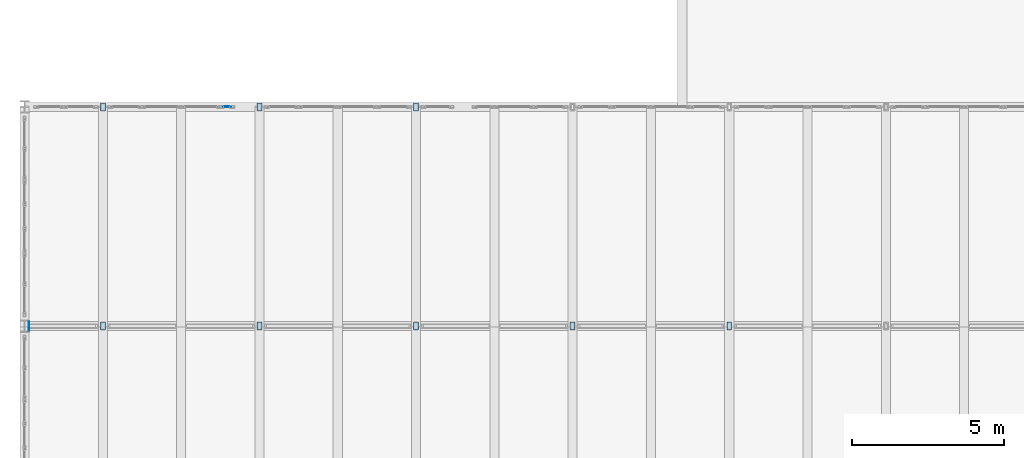
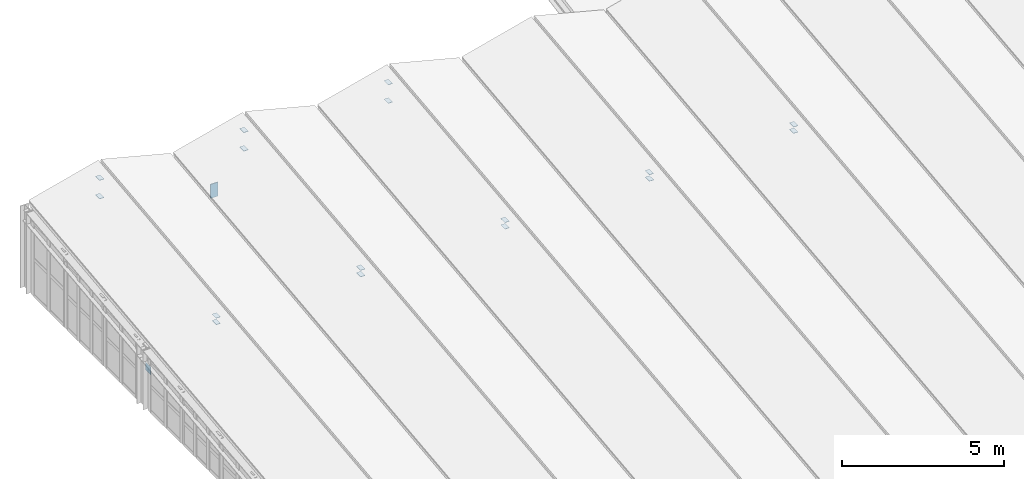
# One storey, part 34 of 39: 18 plates, 1 element without a shape of its own.
"""IFC4 building model written with IfcOpenShell, lengths in metres."""

from ifc_helpers import new_model, si_unit, direction, frame, origin, origin_2d, place, context, subcontext, project, spatial, rectangle, extrude, material, layer, layer_set, type_object, element, aggregate, save


model = new_model("IFC4")

# Units and contexts
model_context = context("Model", 3, precision=1e-05, world=origin(), true_north=direction((0.0, 1.0)))
body_context = subcontext(model_context, "Body", "Model", "MODEL_VIEW")
ifc_project = project(units=[si_unit("LENGTHUNIT", "METRE"), si_unit("AREAUNIT", "SQUARE_METRE"), si_unit("VOLUMEUNIT", "CUBIC_METRE"), si_unit("PLANEANGLEUNIT", "RADIAN"), si_unit("MASSUNIT", "GRAM", prefix="KILO"), si_unit("THERMODYNAMICTEMPERATUREUNIT", "KELVIN"), si_unit("POWERUNIT", "WATT")], contexts=[model_context])

# Site, building, storey
site_placement = place(None, origin())
site = spatial("IfcSite", under=ifc_project, at=site_placement, CompositionType="ELEMENT")
building_placement = place(site_placement, origin())
building = spatial("IfcBuilding", under=site, at=building_placement, Name="Kaldorven Railside Theatre", CompositionType="ELEMENT")
storey_placement = place(building_placement, frame((0.0, 0.0, 27.300048828125)))
storey = spatial("IfcBuildingStorey", under=building, at=storey_placement, Name="ROOF", CompositionType="ELEMENT", Elevation=27.300048828125)

# Curtain wall, plate
ifc_material_1 = material(Name="Low-E laminated solar-control glass", Category="glass")
ifc_layer_1 = layer(ifc_material_1, 0.159912109375, Name="Low-E laminated solar-control glass")
ifc_layer_set_1 = layer_set([ifc_layer_1], Name="Low-E laminated solar-control glass")
curtain_wall_type = type_object("IfcCurtainWallType", Name="CWT-50", PredefinedType="USERDEFINED", material=ifc_layer_set_1)
curtain_wall_placement = place(storey_placement, origin())
curtain_wall = element("IfcCurtainWall", 1, at=curtain_wall_placement, inside=storey, type_object=curtain_wall_type, Name="Fly-Tower North Crown Clerestory CWG-068", ObjectType="FLUTED GLAZING", PredefinedType="USERDEFINED")
ifc_layer_2 = layer(ifc_material_1, 0.028076171875, Name="Low-E laminated solar-control glass")
ifc_layer_set_2 = layer_set([ifc_layer_2], Name="Low-E laminated solar-control glass")
plate_type_1 = type_object("IfcPlateType", Name="CWP-GLZ28", PredefinedType="CURTAIN_PANEL", material=ifc_layer_set_2)
plate_1_placement = place(storey_placement, frame((93.84423828125, 112.800048828125, 1.14990234375), z_axis=(0.0, 0.0, 1.0), x_axis=(1.0, 0.0, 0.0)))
plate_1 = element("IfcPlate", 2, at=plate_1_placement, type_object=plate_type_1, Name="CWG-068 panel 1.2", PredefinedType="CURTAIN_PANEL", context=body_context, shape_type="SweptSolid", body=[
    extrude(rectangle(XDim=0.271484375, YDim=0.028076171875, at=origin_2d()), origin(), (0.0, 0.0, 1.0), 0.530029296875),
])
aggregate(curtain_wall, [plate_1])

# Plates
ifc_material_2 = material(Name="Steel S355", Category="steel")
ifc_layer_3 = layer(ifc_material_2, 0.011962890625, Name="Steel S355")
ifc_layer_set_3 = layer_set([ifc_layer_3], Name="Steel S355")
plate_type_2 = type_object("IfcPlateType", Name="PLT-CAP-12", PredefinedType="USERDEFINED", material=ifc_layer_set_3)
for number, where, z_axis, x_axis, name in (
    (3, (89.771484375, 112.800048828125, 2.6044921875), (0.0, 0.0, 1.0), (1.0, 0.0, 0.0), "End cap gusset plate PL-0255"),
    (4, (89.771484375, 112.800048828125, 3.30029296875), (0.0, 0.0, 1.0), (1.0, 0.0, 0.0), "End cap gusset plate PL-0256"),
    (5, (94.914306640625, 112.800048828125, 2.6044921875), (0.0, 0.0, 1.0), (1.0, 0.0, 0.0), "End cap gusset plate PL-0257"),
    (6, (94.914306640625, 112.800048828125, 3.30029296875), (0.0, 0.0, 1.0), (1.0, 0.0, 0.0), "End cap gusset plate PL-0258"),
    (7, (100.05712890625, 112.800048828125, 2.6044921875), (0.0, 0.0, 1.0), (1.0, 0.0, 0.0), "End cap gusset plate PL-0259"),
    (8, (100.05712890625, 112.800048828125, 3.30029296875), (0.0, 0.0, 1.0), (1.0, 0.0, 0.0), "End cap gusset plate PL-0260"),
):
    element("IfcPlate", number, at=place(storey_placement, frame(where, z_axis=z_axis, x_axis=x_axis)), inside=storey, type_object=plate_type_2, Name=name, ObjectType="CAP PLATE", PredefinedType="USERDEFINED", context=body_context, shape_type="SweptSolid", body=[
        extrude(rectangle(XDim=0.159912109375, YDim=0.260009765625, at=origin_2d()), origin(), (0.0, 0.0, 1.0), 0.011962890625),
    ])
plate_2_placement = place(storey_placement, frame((87.33984375, 105.60009765625, 1.33935546875), z_axis=(1.0, 0.0, 0.0), x_axis=(0.0, 1.0, 0.0)))
element("IfcPlate", 9, at=plate_2_placement, inside=storey, type_object=plate_type_2, Name="End cap gusset plate PL-0273", ObjectType="CAP PLATE", PredefinedType="USERDEFINED", context=body_context, shape_type="SweptSolid", body=[
    extrude(rectangle(XDim=0.300048828125, YDim=0.300048828125, at=origin_2d()), origin(), (0.0, 0.0, 1.0), 0.011962890625),
])
for number, where, z_axis, x_axis, name in (
    (10, (89.771484375, 105.60009765625, 2.234375), (0.0, 0.0, 1.0), (1.0, 0.0, 0.0), "End cap gusset plate PL-0279"),
    (11, (89.771484375, 105.60009765625, 2.47802734375), (0.0, 0.0, 1.0), (1.0, 0.0, 0.0), "End cap gusset plate PL-0280"),
    (12, (94.914306640625, 105.60009765625, 2.234375), (0.0, 0.0, 1.0), (1.0, 0.0, 0.0), "End cap gusset plate PL-0285"),
    (13, (94.914306640625, 105.60009765625, 2.47802734375), (0.0, 0.0, 1.0), (1.0, 0.0, 0.0), "End cap gusset plate PL-0286"),
    (14, (100.05712890625, 105.60009765625, 2.234375), (0.0, 0.0, 1.0), (1.0, 0.0, 0.0), "End cap gusset plate PL-0291"),
    (15, (100.05712890625, 105.60009765625, 2.47802734375), (0.0, 0.0, 1.0), (1.0, 0.0, 0.0), "End cap gusset plate PL-0292"),
    (16, (105.199951171875, 105.60009765625, 2.234375), (0.0, 0.0, 1.0), (1.0, 0.0, 0.0), "End cap gusset plate PL-0297"),
    (17, (105.199951171875, 105.60009765625, 2.47802734375), (0.0, 0.0, 1.0), (1.0, 0.0, 0.0), "End cap gusset plate PL-0298"),
    (18, (110.3427734375, 105.60009765625, 2.234375), (0.0, 0.0, 1.0), (1.0, 0.0, 0.0), "End cap gusset plate PL-0303"),
    (19, (110.3427734375, 105.60009765625, 2.47802734375), (0.0, 0.0, 1.0), (1.0, 0.0, 0.0), "End cap gusset plate PL-0304"),
):
    element("IfcPlate", number, at=place(storey_placement, frame(where, z_axis=z_axis, x_axis=x_axis)), inside=storey, type_object=plate_type_2, Name=name, ObjectType="CAP PLATE", PredefinedType="USERDEFINED", context=body_context, shape_type="SweptSolid", body=[
        extrude(rectangle(XDim=0.159912109375, YDim=0.260009765625, at=origin_2d()), origin(), (0.0, 0.0, 1.0), 0.011962890625),
    ])

save(model, "model.ifc")
